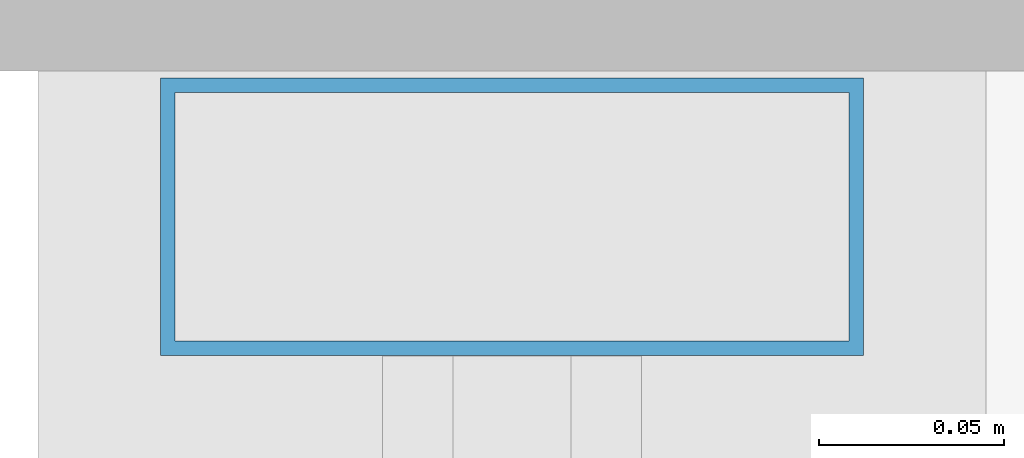
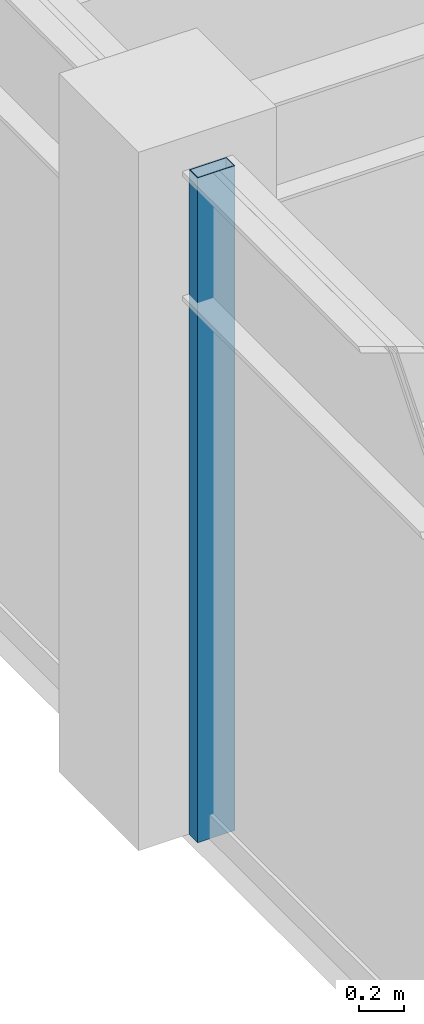
# One storey, part 8 of 30: 1 member, 1 element without a shape of its own.
"""IFC4 building model written with IfcOpenShell, lengths in metres."""

from ifc_helpers import new_model, si_unit, direction, frame, origin, origin_2d, place, context, subcontext, project, spatial, hollow_rectangle, extrude, material, layer, layer_set, material_profile, profile_set, type_object, element, aggregate, save


model = new_model("IFC4")

# Units and contexts
model_context = context("Model", 3, precision=1e-05, world=origin(), true_north=direction((0.0, 1.0)))
body_context = subcontext(model_context, "Body", "Model", "MODEL_VIEW")
ifc_project = project(units=[si_unit("LENGTHUNIT", "METRE"), si_unit("AREAUNIT", "SQUARE_METRE"), si_unit("VOLUMEUNIT", "CUBIC_METRE"), si_unit("PLANEANGLEUNIT", "RADIAN"), si_unit("MASSUNIT", "GRAM", prefix="KILO")], contexts=[model_context])

# Site, building, storey
site_placement = place(None, origin())
site = spatial("IfcSite", under=ifc_project, at=site_placement, CompositionType="ELEMENT")
building_placement = place(site_placement, origin())
building = spatial("IfcBuilding", under=site, at=building_placement, Name="Surkhivell Harbour Commons", CompositionType="ELEMENT")
storey_placement = place(building_placement, frame((0.0, 0.0, 292.5)))
storey = spatial("IfcBuildingStorey", under=building, at=storey_placement, Name="L76", CompositionType="ELEMENT", Elevation=292.5)

# Curtain wall, member
ifc_material_1 = material(Name="Anodised pale-metal aluminium and insulated glazing", Category="aluminium")
ifc_layer = layer(ifc_material_1, 0.175048828125)
ifc_layer_set = layer_set([ifc_layer], Name="Anodised pale-metal aluminium and insulated glazing")
curtain_wall_type = type_object("IfcCurtainWallType", Name="CW-SYS-Z4", PredefinedType="NOTDEFINED", material=ifc_layer_set)
curtain_wall_placement = place(storey_placement, origin())
curtain_wall = element("IfcCurtainWall", 1, at=curtain_wall_placement, inside=storey, type_object=curtain_wall_type, Name="L76 Curtain Wall CW-L76-E12S1", PredefinedType="NOTDEFINED")
ifc_material_2 = material(Name="Anodised pale-metal aluminium alloy 6063-T6", Category="aluminium")
ifc_material_profile = material_profile(ifc_material_2, hollow_rectangle(XDim=0.074951171875, YDim=0.18994140625, WallThickness=0.00390625, at=origin_2d()), Name="ALU-MULL-75x190")
ifc_profile_set = profile_set([ifc_material_profile], Name="Anodised pale-metal aluminium alloy 6063-T6")
member_type = type_object("IfcMemberType", Name="CWM-190", PredefinedType="MULLION", material=ifc_profile_set)
member_placement = place(storey_placement, frame((-27.0, -0.389404296875, 0.0), z_axis=(0.0, 0.0, 1.0), x_axis=(0.0, -1.0, 0.0)))
member = element("IfcMember", 2, at=member_placement, type_object=member_type, Name="CW-Z4 mullion 5", PredefinedType="MULLION", context=body_context, shape_type="SweptSolid", body=[
    extrude(hollow_rectangle(XDim=0.074951171875, YDim=0.18994140625, WallThickness=0.00390625, at=origin_2d()), origin(), (0.0, 0.0, 1.0), 3.570068359375),
])
aggregate(curtain_wall, [member])

save(model, "model.ifc")
